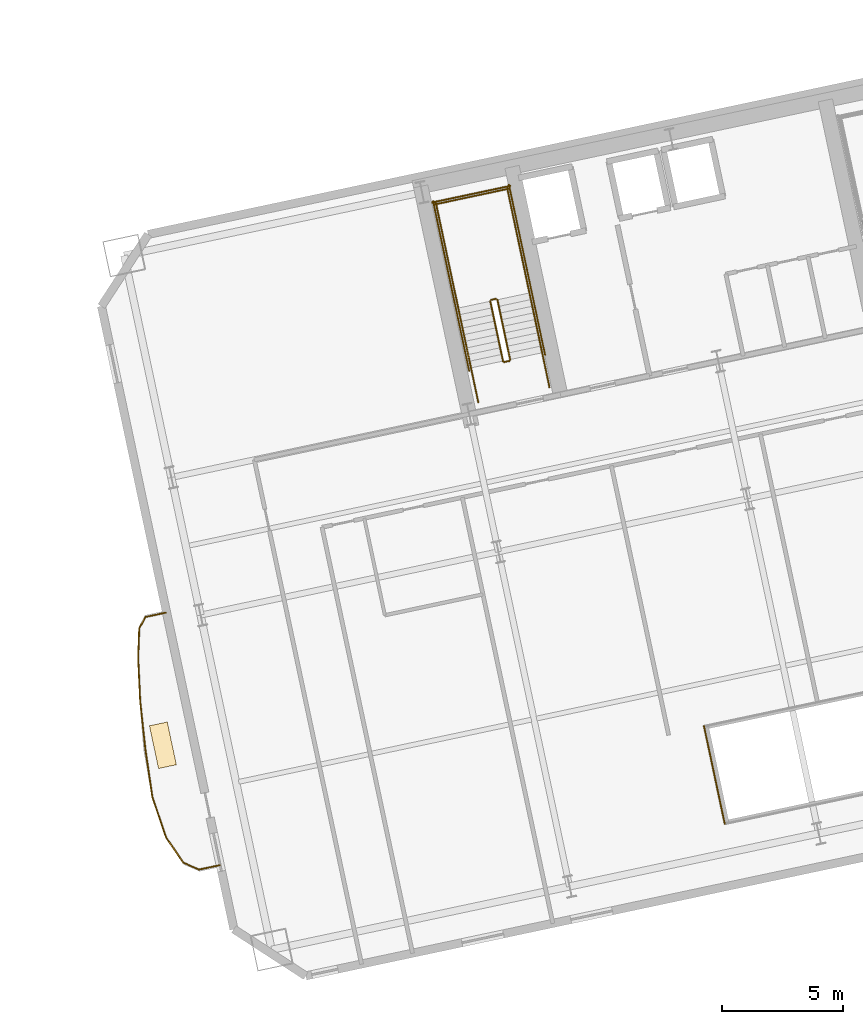
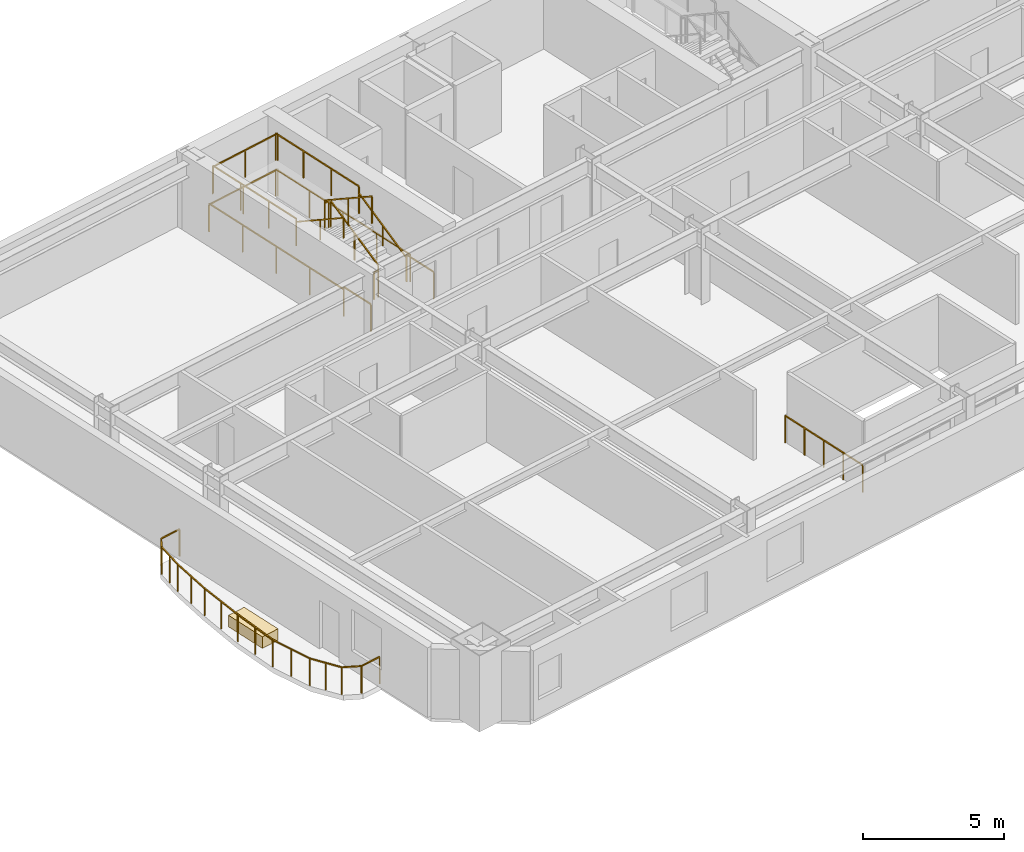
# One storey, part 14 of 16: 25 railings, 1 covering.
"""IFC4 building model written with IfcOpenShell, lengths in metres."""

from ifc_helpers import new_model, si_unit, direction, frame, origin, origin_2d, place, context, subcontext, project, spatial, rectangle, extrude, material, layer, layer_set, type_object, element, save


model = new_model("IFC4")

# Units and contexts
model_context = context("Model", 3, precision=1e-05, world=origin(), true_north=direction((0.0, 1.0)))
body_context = subcontext(model_context, "Body", "Model", "MODEL_VIEW")
ifc_project = project(units=[si_unit("LENGTHUNIT", "METRE"), si_unit("AREAUNIT", "SQUARE_METRE"), si_unit("VOLUMEUNIT", "CUBIC_METRE"), si_unit("PLANEANGLEUNIT", "RADIAN"), si_unit("MASSUNIT", "GRAM", prefix="KILO")], contexts=[model_context])

# Site, building, storey
site_placement = place(None, origin())
site = spatial("IfcSite", under=ifc_project, at=site_placement, CompositionType="ELEMENT")
building_placement = place(site_placement, origin())
building = spatial("IfcBuilding", under=site, at=building_placement, Name="Haevon Station Towers", CompositionType="ELEMENT")
storey_placement = place(building_placement, frame((0.0, 0.0, 57.0)))
storey = spatial("IfcBuildingStorey", under=building, at=storey_placement, Name="L14", CompositionType="ELEMENT", Elevation=57.0)

# Railings
ifc_material_1 = material(Name="Steel S355", Category="steel")
railing_type_1 = type_object("IfcRailingType", Name="BAL-ATR1200", PredefinedType="BALUSTRADE", material=ifc_material_1)
railing_1_placement = place(storey_placement, frame((108.432861328125, 24.582275390625, 0.0)))
element("IfcRailing", 1, at=railing_1_placement, inside=storey, type_object=railing_type_1, Name="L14 Atrium Void Balustrade 4", PredefinedType="BALUSTRADE", context=body_context, shape_type="SweptSolid", body=[
    extrude(rectangle(XDim=0.048095703125, YDim=0.048095703125, at=origin_2d()), frame((0.0, 0.0, 1.17578125), z_axis=(0.207872232727, -0.978155986978, 0.0), x_axis=(0.978155986978, 0.207872232727, 0.0)), (0.0, 0.0, 1.0), 4.116455078125),
    extrude(rectangle(XDim=0.0419921875, YDim=0.0419921875, at=origin_2d()), origin(), (0.0, 0.0, 1.0), 1.15185546875),
    extrude(rectangle(XDim=0.0419921875, YDim=0.0419921875, at=origin_2d()), frame((0.2138671875, -1.006591796875, 0.0)), (0.0, 0.0, 1.0), 1.15185546875),
    extrude(rectangle(XDim=0.0419921875, YDim=0.0419921875, at=origin_2d()), frame((0.427734375, -2.01318359375, 0.0)), (0.0, 0.0, 1.0), 1.15185546875),
    extrude(rectangle(XDim=0.0419921875, YDim=0.0419921875, at=origin_2d()), frame((0.641845703125, -3.02001953125, 0.0)), (0.0, 0.0, 1.0), 1.15185546875),
    extrude(rectangle(XDim=0.0419921875, YDim=0.0419921875, at=origin_2d()), frame((0.855712890625, -4.026611328125, 0.0)), (0.0, 0.0, 1.0), 1.15185546875),
])
railing_type_2 = type_object("IfcRailingType", Name="GRD-EXT1200", PredefinedType="GUARDRAIL", material=ifc_material_1)
railing_2_placement = place(storey_placement, frame((86.256591796875, 29.2626953125, 0.0)))
element("IfcRailing", 2, at=railing_2_placement, inside=storey, type_object=railing_type_2, Name="L14 Perimeter Guardrail 1", PredefinedType="GUARDRAIL", context=body_context, shape_type="SweptSolid", body=[
    extrude(rectangle(XDim=0.048095703125, YDim=0.048095703125, at=origin_2d()), frame((0.0, 0.0, 1.17578125), z_axis=(-0.977695451476, -0.210027627141, 0.0), x_axis=(0.210027627141, -0.977695451476, 0.0)), (0.0, 0.0, 1.0), 0.869384765625),
    extrude(rectangle(XDim=0.0419921875, YDim=0.0419921875, at=origin_2d()), origin(), (0.0, 0.0, 1.0), 1.15185546875),
    extrude(rectangle(XDim=0.0419921875, YDim=0.0419921875, at=origin_2d()), frame((-0.85009765625, -0.1826171875, 0.0)), (0.0, 0.0, 1.0), 1.15185546875),
])
railing_3_placement = place(storey_placement, frame((85.406494140625, 29.080078125, 0.0)))
element("IfcRailing", 3, at=railing_3_placement, inside=storey, type_object=railing_type_2, Name="L14 Perimeter Guardrail 2", PredefinedType="GUARDRAIL", context=body_context, shape_type="SweptSolid", body=[
    extrude(rectangle(XDim=0.048095703125, YDim=0.048095703125, at=origin_2d()), frame((0.0, 0.0, 1.17578125), z_axis=(-0.470328768762, -0.882491274334, 0.0), x_axis=(0.882491274334, -0.470328768762, 0.0)), (0.0, 0.0, 1.0), 0.537353515625),
    extrude(rectangle(XDim=0.0419921875, YDim=0.0419921875, at=origin_2d()), origin(), (0.0, 0.0, 1.0), 1.15185546875),
    extrude(rectangle(XDim=0.0419921875, YDim=0.0419921875, at=origin_2d()), frame((-0.252685546875, -0.47412109375, 0.0)), (0.0, 0.0, 1.0), 1.15185546875),
])
railing_4_placement = place(storey_placement, frame((85.15380859375, 28.60595703125, 0.0)))
element("IfcRailing", 4, at=railing_4_placement, inside=storey, type_object=railing_type_2, Name="L14 Perimeter Guardrail 3", PredefinedType="GUARDRAIL", context=body_context, shape_type="SweptSolid", body=[
    extrude(rectangle(XDim=0.048095703125, YDim=0.048095703125, at=origin_2d()), frame((0.0, 0.0, 1.17578125), z_axis=(-0.036420445432, -0.999336555498, 0.0), x_axis=(0.999336555498, -0.036420445432, 0.0)), (0.0, 0.0, 1.0), 1.20654296875),
    extrude(rectangle(XDim=0.0419921875, YDim=0.0419921875, at=origin_2d()), origin(), (0.0, 0.0, 1.0), 1.15185546875),
    extrude(rectangle(XDim=0.0419921875, YDim=0.0419921875, at=origin_2d()), frame((-0.02197265625, -0.60302734375, 0.0)), (0.0, 0.0, 1.0), 1.15185546875),
    extrude(rectangle(XDim=0.0419921875, YDim=0.0419921875, at=origin_2d()), frame((-0.0439453125, -1.205810546875, 0.0)), (0.0, 0.0, 1.0), 1.15185546875),
])
railing_5_placement = place(storey_placement, frame((85.10986328125, 27.400146484375, 0.0)))
element("IfcRailing", 5, at=railing_5_placement, inside=storey, type_object=railing_type_2, Name="L14 Perimeter Guardrail 4", PredefinedType="GUARDRAIL", context=body_context, shape_type="SweptSolid", body=[
    extrude(rectangle(XDim=0.048095703125, YDim=0.048095703125, at=origin_2d()), frame((0.0, 0.0, 1.17578125), z_axis=(0.04640707472, -0.998922611325, 0.0), x_axis=(0.998922611325, 0.04640707472, 0.0)), (0.0, 0.0, 1.0), 1.77294921875),
    extrude(rectangle(XDim=0.0419921875, YDim=0.0419921875, at=origin_2d()), origin(), (0.0, 0.0, 1.0), 1.15185546875),
    extrude(rectangle(XDim=0.0419921875, YDim=0.0419921875, at=origin_2d()), frame((0.041015625, -0.885498046875, 0.0)), (0.0, 0.0, 1.0), 1.15185546875),
    extrude(rectangle(XDim=0.0419921875, YDim=0.0419921875, at=origin_2d()), frame((0.082275390625, -1.77099609375, 0.0)), (0.0, 0.0, 1.0), 1.15185546875),
])
railing_6_placement = place(storey_placement, frame((85.192138671875, 25.629150390625, 0.0)))
element("IfcRailing", 6, at=railing_6_placement, inside=storey, type_object=railing_type_2, Name="L14 Perimeter Guardrail 5", PredefinedType="GUARDRAIL", context=body_context, shape_type="SweptSolid", body=[
    extrude(rectangle(XDim=0.048095703125, YDim=0.048095703125, at=origin_2d()), frame((0.0, 0.0, 1.17578125), z_axis=(0.106584854069, -0.994303610012, 0.0), x_axis=(0.994303610012, 0.106584854069, 0.0)), (0.0, 0.0, 1.0), 1.999755859375),
    extrude(rectangle(XDim=0.0419921875, YDim=0.0419921875, at=origin_2d()), origin(), (0.0, 0.0, 1.0), 1.15185546875),
    extrude(rectangle(XDim=0.0419921875, YDim=0.0419921875, at=origin_2d()), frame((0.1064453125, -0.994140625, 0.0)), (0.0, 0.0, 1.0), 1.15185546875),
    extrude(rectangle(XDim=0.0419921875, YDim=0.0419921875, at=origin_2d()), frame((0.213134765625, -1.98828125, 0.0)), (0.0, 0.0, 1.0), 1.15185546875),
])
railing_7_placement = place(storey_placement, frame((85.4052734375, 23.640869140625, 0.0)))
element("IfcRailing", 7, at=railing_7_placement, inside=storey, type_object=railing_type_2, Name="L14 Perimeter Guardrail 6", PredefinedType="GUARDRAIL", context=body_context, shape_type="SweptSolid", body=[
    extrude(rectangle(XDim=0.048095703125, YDim=0.048095703125, at=origin_2d()), frame((0.0, 0.0, 1.17578125), z_axis=(0.145339148966, -0.989381893799, 0.0), x_axis=(0.989381893799, 0.145339148966, 0.0)), (0.0, 0.0, 1.0), 1.997314453125),
    extrude(rectangle(XDim=0.0419921875, YDim=0.0419921875, at=origin_2d()), origin(), (0.0, 0.0, 1.0), 1.15185546875),
    extrude(rectangle(XDim=0.0419921875, YDim=0.0419921875, at=origin_2d()), frame((0.14501953125, -0.988037109375, 0.0)), (0.0, 0.0, 1.0), 1.15185546875),
    extrude(rectangle(XDim=0.0419921875, YDim=0.0419921875, at=origin_2d()), frame((0.290283203125, -1.97607421875, 0.0)), (0.0, 0.0, 1.0), 1.15185546875),
])
railing_8_placement = place(storey_placement, frame((85.695556640625, 21.664794921875, 0.0)))
element("IfcRailing", 8, at=railing_8_placement, inside=storey, type_object=railing_type_2, Name="L14 Perimeter Guardrail 7", PredefinedType="GUARDRAIL", context=body_context, shape_type="SweptSolid", body=[
    extrude(rectangle(XDim=0.048095703125, YDim=0.048095703125, at=origin_2d()), frame((0.0, 0.0, 1.17578125), z_axis=(0.321511973144, -0.946905513304, 0.0), x_axis=(0.946905513304, 0.321511973144, 0.0)), (0.0, 0.0, 1.0), 1.758544921875),
    extrude(rectangle(XDim=0.0419921875, YDim=0.0419921875, at=origin_2d()), origin(), (0.0, 0.0, 1.0), 1.15185546875),
    extrude(rectangle(XDim=0.0419921875, YDim=0.0419921875, at=origin_2d()), frame((0.28271484375, -0.83251953125, 0.0)), (0.0, 0.0, 1.0), 1.15185546875),
    extrude(rectangle(XDim=0.0419921875, YDim=0.0419921875, at=origin_2d()), frame((0.5654296875, -1.665283203125, 0.0)), (0.0, 0.0, 1.0), 1.15185546875),
])
railing_9_placement = place(storey_placement, frame((86.260986328125, 19.99951171875, 0.0)))
element("IfcRailing", 9, at=railing_9_placement, inside=storey, type_object=railing_type_2, Name="L14 Perimeter Guardrail 8", PredefinedType="GUARDRAIL", context=body_context, shape_type="SweptSolid", body=[
    extrude(rectangle(XDim=0.048095703125, YDim=0.048095703125, at=origin_2d()), frame((0.0, 0.0, 1.17578125), z_axis=(0.563582515214, -0.826059772985, 0.0), x_axis=(0.826059772985, 0.563582515214, 0.0)), (0.0, 0.0, 1.0), 1.26416015625),
    extrude(rectangle(XDim=0.0419921875, YDim=0.0419921875, at=origin_2d()), origin(), (0.0, 0.0, 1.0), 1.15185546875),
    extrude(rectangle(XDim=0.0419921875, YDim=0.0419921875, at=origin_2d()), frame((0.356201171875, -0.52197265625, 0.0)), (0.0, 0.0, 1.0), 1.15185546875),
    extrude(rectangle(XDim=0.0419921875, YDim=0.0419921875, at=origin_2d()), frame((0.71240234375, -1.044189453125, 0.0)), (0.0, 0.0, 1.0), 1.15185546875),
])
railing_10_placement = place(storey_placement, frame((86.973388671875, 18.955322265625, 0.0)))
element("IfcRailing", 10, at=railing_10_placement, inside=storey, type_object=railing_type_2, Name="L14 Perimeter Guardrail 9", PredefinedType="GUARDRAIL", context=body_context, shape_type="SweptSolid", body=[
    extrude(rectangle(XDim=0.048095703125, YDim=0.048095703125, at=origin_2d()), frame((0.0, 0.0, 1.17578125), z_axis=(0.915687569621, -0.401890874295, 0.0), x_axis=(0.401890874295, 0.915687569621, 0.0)), (0.0, 0.0, 1.0), 0.70458984375),
    extrude(rectangle(XDim=0.0419921875, YDim=0.0419921875, at=origin_2d()), origin(), (0.0, 0.0, 1.0), 1.15185546875),
    extrude(rectangle(XDim=0.0419921875, YDim=0.0419921875, at=origin_2d()), frame((0.645263671875, -0.283203125, 0.0)), (0.0, 0.0, 1.0), 1.15185546875),
])
railing_11_placement = place(storey_placement, frame((87.61865234375, 18.672119140625, 0.0)))
element("IfcRailing", 11, at=railing_11_placement, inside=storey, type_object=railing_type_2, Name="L14 Perimeter Guardrail 10", PredefinedType="GUARDRAIL", context=body_context, shape_type="SweptSolid", body=[
    extrude(rectangle(XDim=0.048095703125, YDim=0.048095703125, at=origin_2d()), frame((0.0, 0.0, 1.17578125), z_axis=(0.978588498747, 0.205826504901, 0.0), x_axis=(-0.205826504901, 0.978588498747, 0.0)), (0.0, 0.0, 1.0), 0.869384765625),
    extrude(rectangle(XDim=0.0419921875, YDim=0.0419921875, at=origin_2d()), origin(), (0.0, 0.0, 1.0), 1.15185546875),
    extrude(rectangle(XDim=0.0419921875, YDim=0.0419921875, at=origin_2d()), frame((0.850830078125, 0.178955078125, 0.0)), (0.0, 0.0, 1.0), 1.15185546875),
])
railing_type_3 = type_object("IfcRailingType", Name="GRD-STR1200", PredefinedType="GUARDRAIL", material=ifc_material_1)
railing_12_placement = place(storey_placement, frame((100.44140625, 39.69287109375, 0.1650390625)))
element("IfcRailing", 12, at=railing_12_placement, inside=storey, type_object=railing_type_3, Name="L14 ST3 Stair Guard 1", PredefinedType="GUARDRAIL", context=body_context, shape_type="SweptSolid", body=[
    extrude(rectangle(XDim=0.048095703125, YDim=0.048095703125, at=origin_2d()), frame((0.0, 0.0, 1.17578125), z_axis=(-0.179128856099, 0.842723639875, 0.507670877349), x_axis=(-0.978147030254, -0.207914374695, 0.0)), (0.0, 0.0, 1.0), 2.9248046875),
    extrude(rectangle(XDim=0.0419921875, YDim=0.0419921875, at=origin_2d()), origin(), (0.0, 0.0, 1.0), 1.15185546875),
    extrude(rectangle(XDim=0.0419921875, YDim=0.0419921875, at=origin_2d()), frame((-0.261962890625, 1.232421875, 0.742431640625)), (0.0, 0.0, 1.0), 1.15185546875),
    extrude(rectangle(XDim=0.0419921875, YDim=0.0419921875, at=origin_2d()), frame((-0.52392578125, 2.46484375, 1.48486328125)), (0.0, 0.0, 1.0), 1.15185546875),
])
railing_13_placement = place(storey_placement, frame((99.858154296875, 42.1962890625, 1.64990234375)))
element("IfcRailing", 13, at=railing_13_placement, inside=storey, type_object=railing_type_3, Name="L14 ST3 Stair Guard 2", PredefinedType="GUARDRAIL", context=body_context, shape_type="SweptSolid", body=[
    extrude(rectangle(XDim=0.048095703125, YDim=0.048095703125, at=origin_2d()), frame((0.0, 0.0, 1.17578125), z_axis=(-0.977962931203, -0.208778603291, 0.0), x_axis=(0.208778603291, -0.977962931203, 0.0)), (0.0, 0.0, 1.0), 0.199951171875),
    extrude(rectangle(XDim=0.0419921875, YDim=0.0419921875, at=origin_2d()), origin(), (0.0, 0.0, 1.0), 1.15185546875),
    extrude(rectangle(XDim=0.0419921875, YDim=0.0419921875, at=origin_2d()), frame((-0.195556640625, -0.041748046875, 0.0)), (0.0, 0.0, 1.0), 1.15185546875),
])
railing_14_placement = place(storey_placement, frame((101.238037109375, 42.4384765625, 1.64990234375)))
element("IfcRailing", 14, at=railing_14_placement, inside=storey, type_object=railing_type_3, Name="L14 ST3 Stair Guard 3", PredefinedType="GUARDRAIL", context=body_context, shape_type="SweptSolid", body=[
    extrude(rectangle(XDim=0.048095703125, YDim=0.048095703125, at=origin_2d()), frame((0.0, 0.0, 1.17578125), z_axis=(-0.20794048909, 0.978141479029, 0.0), x_axis=(-0.978141479029, -0.20794048909, 0.0)), (0.0, 0.0, 1.0), 4.429931640625),
    extrude(rectangle(XDim=0.0419921875, YDim=0.0419921875, at=origin_2d()), origin(), (0.0, 0.0, 1.0), 1.15185546875),
    extrude(rectangle(XDim=0.0419921875, YDim=0.0419921875, at=origin_2d()), frame((-0.30712890625, 1.4443359375, 0.0)), (0.0, 0.0, 1.0), 1.15185546875),
    extrude(rectangle(XDim=0.0419921875, YDim=0.0419921875, at=origin_2d()), frame((-0.614013671875, 2.888671875, 0.0)), (0.0, 0.0, 1.0), 1.15185546875),
    extrude(rectangle(XDim=0.0419921875, YDim=0.0419921875, at=origin_2d()), frame((-0.921142578125, 4.3330078125, 0.0)), (0.0, 0.0, 1.0), 1.15185546875),
])
railing_15_placement = place(storey_placement, frame((98.303466796875, 41.814697265625, 1.64990234375)))
element("IfcRailing", 15, at=railing_15_placement, inside=storey, type_object=railing_type_3, Name="L14 ST3 Stair Guard 4", PredefinedType="GUARDRAIL", context=body_context, shape_type="SweptSolid", body=[
    extrude(rectangle(XDim=0.048095703125, YDim=0.048095703125, at=origin_2d()), frame((0.0, 0.0, 1.17578125), z_axis=(-0.207876551949, 0.978155069071, 0.0), x_axis=(-0.978155069071, -0.207876551949, 0.0)), (0.0, 0.0, 1.0), 4.429931640625),
    extrude(rectangle(XDim=0.0419921875, YDim=0.0419921875, at=origin_2d()), origin(), (0.0, 0.0, 1.0), 1.15185546875),
    extrude(rectangle(XDim=0.0419921875, YDim=0.0419921875, at=origin_2d()), frame((-0.306884765625, 1.4443359375, 0.0)), (0.0, 0.0, 1.0), 1.15185546875),
    extrude(rectangle(XDim=0.0419921875, YDim=0.0419921875, at=origin_2d()), frame((-0.614013671875, 2.888916015625, 0.0)), (0.0, 0.0, 1.0), 1.15185546875),
    extrude(rectangle(XDim=0.0419921875, YDim=0.0419921875, at=origin_2d()), frame((-0.9208984375, 4.333251953125, 0.0)), (0.0, 0.0, 1.0), 1.15185546875),
])
railing_16_placement = place(storey_placement, frame((100.376220703125, 46.733154296875, 1.64990234375)))
element("IfcRailing", 16, at=railing_16_placement, inside=storey, type_object=railing_type_3, Name="L14 ST3 Stair Guard 5", PredefinedType="GUARDRAIL", context=body_context, shape_type="SweptSolid", body=[
    extrude(rectangle(XDim=0.048095703125, YDim=0.048095703125, at=origin_2d()), frame((0.0, 0.0, 1.17578125), z_axis=(-0.978146839882, -0.207915270313, 0.0), x_axis=(0.207915270313, -0.978146839882, 0.0)), (0.0, 0.0, 1.0), 3.099853515625),
    extrude(rectangle(XDim=0.0419921875, YDim=0.0419921875, at=origin_2d()), origin(), (0.0, 0.0, 1.0), 1.15185546875),
    extrude(rectangle(XDim=0.0419921875, YDim=0.0419921875, at=origin_2d()), frame((-1.51611328125, -0.322265625, 0.0)), (0.0, 0.0, 1.0), 1.15185546875),
    extrude(rectangle(XDim=0.0419921875, YDim=0.0419921875, at=origin_2d()), frame((-3.0322265625, -0.64453125, 0.0)), (0.0, 0.0, 1.0), 1.15185546875),
])
railing_17_placement = place(storey_placement, frame((99.6240234375, 42.09521484375, 1.81494140625)))
element("IfcRailing", 17, at=railing_17_placement, inside=storey, type_object=railing_type_3, Name="L14 ST3 Stair Guard 6", PredefinedType="GUARDRAIL", context=body_context, shape_type="SweptSolid", body=[
    extrude(rectangle(XDim=0.048095703125, YDim=0.048095703125, at=origin_2d()), frame((0.0, 0.0, 1.17578125), z_axis=(0.179121265225, -0.842687928106, 0.507732831485), x_axis=(0.978147030254, 0.207914374695, 0.0)), (0.0, 0.0, 1.0), 2.925048828125),
    extrude(rectangle(XDim=0.0419921875, YDim=0.0419921875, at=origin_2d()), origin(), (0.0, 0.0, 1.0), 1.15185546875),
    extrude(rectangle(XDim=0.0419921875, YDim=0.0419921875, at=origin_2d()), frame((0.261962890625, -1.232421875, 0.74267578125)), (0.0, 0.0, 1.0), 1.15185546875),
    extrude(rectangle(XDim=0.0419921875, YDim=0.0419921875, at=origin_2d()), frame((0.52392578125, -2.46484375, 1.485107421875)), (0.0, 0.0, 1.0), 1.15185546875),
])
railing_18_placement = place(storey_placement, frame((100.40283203125, 39.633544921875, 0.0)))
element("IfcRailing", 18, at=railing_18_placement, inside=storey, type_object=railing_type_3, Name="L14 ST3 Stair Guard 7", PredefinedType="GUARDRAIL", context=body_context, shape_type="SweptSolid", body=[
    extrude(rectangle(XDim=0.048095703125, YDim=0.048095703125, at=origin_2d()), frame((0.0, 0.0, 1.17578125), z_axis=(-0.977962931203, -0.208778603291, 0.0), x_axis=(0.208778603291, -0.977962931203, 0.0)), (0.0, 0.0, 1.0), 0.199951171875),
    extrude(rectangle(XDim=0.0419921875, YDim=0.0419921875, at=origin_2d()), origin(), (0.0, 0.0, 1.0), 1.15185546875),
    extrude(rectangle(XDim=0.0419921875, YDim=0.0419921875, at=origin_2d()), frame((-0.195556640625, -0.041748046875, 0.0)), (0.0, 0.0, 1.0), 1.15185546875),
])
for number, where, name in (
    (19, (102.0634765625, 38.55517578125, 0.0), "L14 ST3 Stair Guard 8"),
    (20, (99.12890625, 37.931396484375, 0.0), "L14 ST3 Stair Guard 9"),
):
    element("IfcRailing", number, at=place(storey_placement, frame(where)), inside=storey, type_object=railing_type_3, Name=name, PredefinedType="GUARDRAIL", context=body_context, shape_type="SweptSolid", body=[
        extrude(rectangle(XDim=0.048095703125, YDim=0.048095703125, at=origin_2d()), frame((0.0, 0.0, 1.17578125), z_axis=(-0.207953405961, 0.978138732977, 0.0), x_axis=(-0.978138732977, -0.207953405961, 0.0)), (0.0, 0.0, 1.0), 1.449951171875),
        extrude(rectangle(XDim=0.0419921875, YDim=0.0419921875, at=origin_2d()), origin(), (0.0, 0.0, 1.0), 1.15185546875),
        extrude(rectangle(XDim=0.0419921875, YDim=0.0419921875, at=origin_2d()), frame((-0.301513671875, 1.418212890625, 0.0)), (0.0, 0.0, 1.0), 1.15185546875),
    ])
railing_19_placement = place(storey_placement, frame((101.88037109375, 39.896484375, 0.0)))
element("IfcRailing", 21, at=railing_19_placement, inside=storey, type_object=railing_type_3, Name="L14 ST3 Stair Guard 10", PredefinedType="GUARDRAIL", context=body_context, shape_type="SweptSolid", body=[
    extrude(rectangle(XDim=0.048095703125, YDim=0.048095703125, at=origin_2d()), frame((0.0, 0.0, 1.17578125), z_axis=(-0.207882442208, 0.978153817261, 0.0), x_axis=(-0.978153817261, -0.207882442208, 0.0)), (0.0, 0.0, 1.0), 7.14990234375),
    extrude(rectangle(XDim=0.0419921875, YDim=0.0419921875, at=origin_2d()), origin(), (0.0, 0.0, 1.0), 1.15185546875),
    extrude(rectangle(XDim=0.0419921875, YDim=0.0419921875, at=origin_2d()), frame((-0.37158203125, 1.74853515625, 0.0)), (0.0, 0.0, 1.0), 1.15185546875),
    extrude(rectangle(XDim=0.0419921875, YDim=0.0419921875, at=origin_2d()), frame((-0.7431640625, 3.496826171875, 0.0)), (0.0, 0.0, 1.0), 1.15185546875),
    extrude(rectangle(XDim=0.0419921875, YDim=0.0419921875, at=origin_2d()), frame((-1.11474609375, 5.2451171875, 0.0)), (0.0, 0.0, 1.0), 1.15185546875),
    extrude(rectangle(XDim=0.0419921875, YDim=0.0419921875, at=origin_2d()), frame((-1.486328125, 6.99365234375, 0.0)), (0.0, 0.0, 1.0), 1.15185546875),
])
railing_20_placement = place(storey_placement, frame((98.75048828125, 39.231201171875, 0.0)))
element("IfcRailing", 22, at=railing_20_placement, inside=storey, type_object=railing_type_3, Name="L14 ST3 Stair Guard 11", PredefinedType="GUARDRAIL", context=body_context, shape_type="SweptSolid", body=[
    extrude(rectangle(XDim=0.048095703125, YDim=0.048095703125, at=origin_2d()), frame((0.0, 0.0, 1.17578125), z_axis=(-0.207915112487, 0.978146873429, 0.0), x_axis=(-0.978146873429, -0.207915112487, 0.0)), (0.0, 0.0, 1.0), 7.14990234375),
    extrude(rectangle(XDim=0.0419921875, YDim=0.0419921875, at=origin_2d()), origin(), (0.0, 0.0, 1.0), 1.15185546875),
    extrude(rectangle(XDim=0.0419921875, YDim=0.0419921875, at=origin_2d()), frame((-0.37158203125, 1.74853515625, 0.0)), (0.0, 0.0, 1.0), 1.15185546875),
    extrude(rectangle(XDim=0.0419921875, YDim=0.0419921875, at=origin_2d()), frame((-0.7431640625, 3.496826171875, 0.0)), (0.0, 0.0, 1.0), 1.15185546875),
    extrude(rectangle(XDim=0.0419921875, YDim=0.0419921875, at=origin_2d()), frame((-1.114990234375, 5.2451171875, 0.0)), (0.0, 0.0, 1.0), 1.15185546875),
    extrude(rectangle(XDim=0.0419921875, YDim=0.0419921875, at=origin_2d()), frame((-1.486572265625, 6.99365234375, 0.0)), (0.0, 0.0, 1.0), 1.15185546875),
])
railing_21_placement = place(storey_placement, frame((100.453125, 46.8515625, 0.0)))
element("IfcRailing", 23, at=railing_21_placement, inside=storey, type_object=railing_type_3, Name="L14 ST3 Stair Guard 12", PredefinedType="GUARDRAIL", context=body_context, shape_type="SweptSolid", body=[
    extrude(rectangle(XDim=0.048095703125, YDim=0.048095703125, at=origin_2d()), frame((0.0, 0.0, 1.17578125), z_axis=(-0.978150764849, -0.207896804268, 0.0), x_axis=(0.207896804268, -0.978150764849, 0.0)), (0.0, 0.0, 1.0), 3.2998046875),
    extrude(rectangle(XDim=0.0419921875, YDim=0.0419921875, at=origin_2d()), origin(), (0.0, 0.0, 1.0), 1.15185546875),
    extrude(rectangle(XDim=0.0419921875, YDim=0.0419921875, at=origin_2d()), frame((-1.61376953125, -0.343017578125, 0.0)), (0.0, 0.0, 1.0), 1.15185546875),
    extrude(rectangle(XDim=0.0419921875, YDim=0.0419921875, at=origin_2d()), frame((-3.227783203125, -0.68603515625, 0.0)), (0.0, 0.0, 1.0), 1.15185546875),
])
railing_type_4 = type_object("IfcRailingType", Name="HND-STR900", PredefinedType="HANDRAIL", material=ifc_material_1)
railing_22_placement = place(storey_placement, frame((101.761962890625, 39.973388671875, 0.1650390625)))
element("IfcRailing", 24, at=railing_22_placement, inside=storey, type_object=railing_type_4, Name="L14 ST3 Stair Handrail 1", PredefinedType="HANDRAIL", context=body_context, shape_type="SweptSolid", body=[
    extrude(rectangle(XDim=0.048095703125, YDim=0.048095703125, at=origin_2d()), frame((0.0, 0.0, 0.8759765625), z_axis=(-0.179116256339, 0.842747828638, 0.507635168246), x_axis=(-0.978151217824, -0.207894673017, 0.0)), (0.0, 0.0, 1.0), 2.925048828125),
    extrude(rectangle(XDim=0.0419921875, YDim=0.0419921875, at=origin_2d()), origin(), (0.0, 0.0, 1.0), 0.851806640625),
    extrude(rectangle(XDim=0.0419921875, YDim=0.0419921875, at=origin_2d()), frame((-0.261962890625, 1.232421875, 0.742431640625)), (0.0, 0.0, 1.0), 0.851806640625),
    extrude(rectangle(XDim=0.0419921875, YDim=0.0419921875, at=origin_2d()), frame((-0.52392578125, 2.465087890625, 1.48486328125)), (0.0, 0.0, 1.0), 0.851806640625),
])
railing_23_placement = place(storey_placement, frame((98.303466796875, 41.814697265625, 1.81494140625)))
element("IfcRailing", 25, at=railing_23_placement, inside=storey, type_object=railing_type_4, Name="L14 ST3 Stair Handrail 2", PredefinedType="HANDRAIL", context=body_context, shape_type="SweptSolid", body=[
    extrude(rectangle(XDim=0.048095703125, YDim=0.048095703125, at=origin_2d()), frame((0.0, 0.0, 0.8759765625), z_axis=(0.179108667068, -0.842712120868, 0.50769712105), x_axis=(0.978151217824, 0.207894673017, 0.0)), (0.0, 0.0, 1.0), 2.92529296875),
    extrude(rectangle(XDim=0.0419921875, YDim=0.0419921875, at=origin_2d()), origin(), (0.0, 0.0, 1.0), 0.851806640625),
    extrude(rectangle(XDim=0.0419921875, YDim=0.0419921875, at=origin_2d()), frame((0.261962890625, -1.232421875, 0.74267578125)), (0.0, 0.0, 1.0), 0.851806640625),
    extrude(rectangle(XDim=0.0419921875, YDim=0.0419921875, at=origin_2d()), frame((0.52392578125, -2.465087890625, 1.485107421875)), (0.0, 0.0, 1.0), 0.851806640625),
])

# Covering
ifc_material_2 = material(Name="Architectural planter GRC", Category="concrete")
ifc_layer = layer(ifc_material_2, 0.550048828125)
ifc_layer_set = layer_set([ifc_layer], Name="Architectural planter GRC")
covering_type = type_object("IfcCoveringType", Name="PLN-GRC550", PredefinedType="MOLDING", material=ifc_layer_set)
covering_placement = place(storey_placement, frame((86.130615234375, 23.794921875, 0.0), z_axis=(0.0, 0.0, 1.0), x_axis=(0.978147600734, 0.207911690818, 0.0)))
element("IfcCovering", 26, at=covering_placement, inside=storey, type_object=covering_type, Name="Tower 2 L14 Scalloped Balcony PLANTER", PredefinedType="MOLDING", context=body_context, shape_type="SweptSolid", body=[
    extrude(rectangle(XDim=0.75, YDim=1.800048828125, at=origin_2d()), origin(), (0.0, 0.0, 1.0), 0.5),
])

save(model, "model.ifc")
